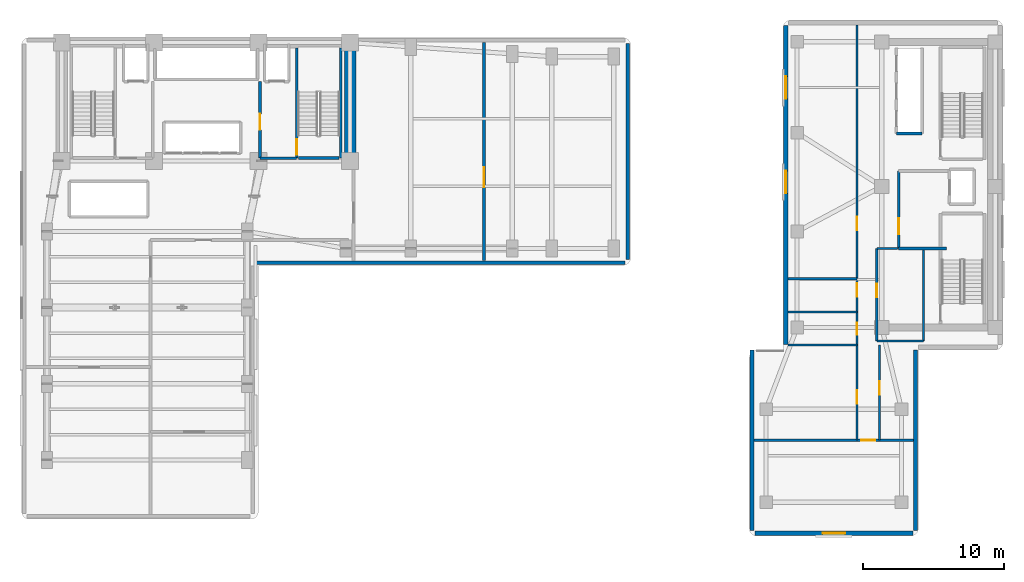
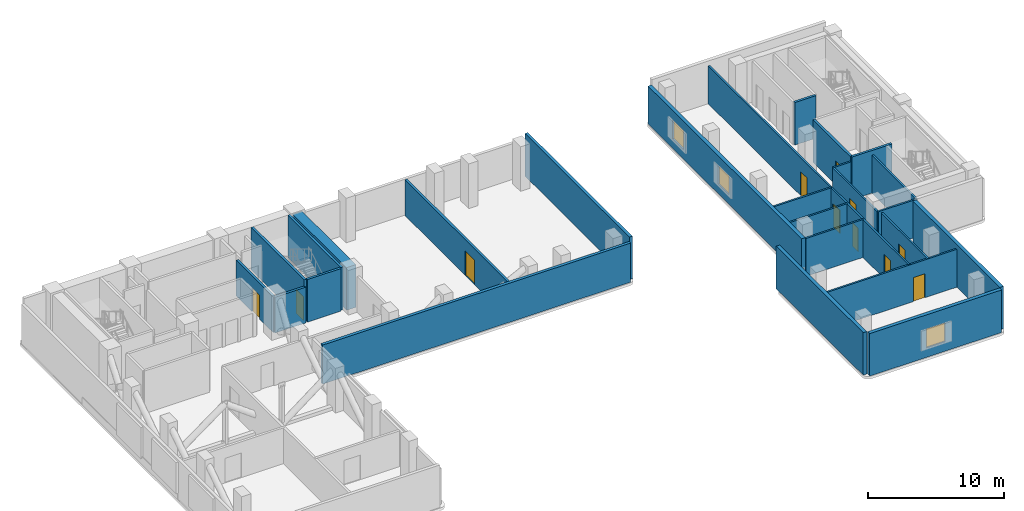
# One storey, part 5 of 9: 27 walls, 11 doors, 3 windows, 14 openings.
"""IFC4 building model written with IfcOpenShell, lengths in metres."""

from ifc_helpers import new_model, si_unit, direction, frame, frame_2d, origin, place, context, subcontext, project, spatial, rectangle, extrude, material, layer, layer_set, type_object, element, fill, save


model = new_model("IFC4")

# Units and contexts
model_context = context("Model", 3, precision=1e-05, world=origin(), true_north=direction((0.0, 1.0)))
body_context = subcontext(model_context, "Body", "Model", "MODEL_VIEW")
ifc_project = project(units=[si_unit("LENGTHUNIT", "METRE"), si_unit("AREAUNIT", "SQUARE_METRE"), si_unit("VOLUMEUNIT", "CUBIC_METRE"), si_unit("PLANEANGLEUNIT", "RADIAN"), si_unit("MASSUNIT", "GRAM", prefix="KILO")], contexts=[model_context])

# Site, building, storey
site_placement = place(None, origin())
site = spatial("IfcSite", under=ifc_project, at=site_placement, CompositionType="ELEMENT")
building_placement = place(site_placement, origin())
building = spatial("IfcBuilding", under=site, at=building_placement, Name="Kuzgunbayir Cultural Tower", CompositionType="ELEMENT")
storey_placement = place(building_placement, frame((0.0, 0.0, 79.39990234375)))
storey = spatial("IfcBuildingStorey", under=building, at=storey_placement, Name="L22", CompositionType="ELEMENT", Elevation=79.39990234375)

# Walls
ifc_material_1 = material(Name="Concrete C60/75", Category="concrete")
ifc_layer_1 = layer(ifc_material_1, 0.800048828125)
ifc_layer_set_1 = layer_set([ifc_layer_1], Name="Concrete C60/75")
wall_type_1 = type_object("IfcWallType", Name="WAL-CORE-800", PredefinedType="SHEAR", material=ifc_layer_set_1)
wall_1_placement = place(storey_placement, frame((26.89990234375, 33.800048828125, 0.0), z_axis=(0.0, 0.0, 1.0), x_axis=(0.0, 1.0, 0.0)))
element("IfcWall", 1, at=wall_1_placement, inside=storey, type_object=wall_type_1, Name="L22 T1 Core East Shear Wall", PredefinedType="SHEAR", context=body_context, shape_type="SweptSolid", body=[
    extrude(rectangle(XDim=7.949951171875, YDim=0.800048828125, at=frame_2d((3.97509765625, 0.0))), origin(), (0.0, 0.0, 1.0), 3.820068359375),
])
ifc_material_2 = material(Name="Concrete C40/50", Category="concrete")
ifc_layer_2 = layer(ifc_material_2, 0.25)
ifc_layer_set_2 = layer_set([ifc_layer_2], Name="Concrete C40/50")
wall_type_2 = type_object("IfcWallType", Name="WAL-EXT-PLANT-250", PredefinedType="STANDARD", material=ifc_layer_set_2)
wall_2_placement = place(storey_placement, frame((20.25, 26.60009765625, 0.0), z_axis=(0.0, 0.0, 1.0), x_axis=(1.0, 0.0, 0.0)))
element("IfcWall", 2, at=wall_2_placement, inside=storey, type_object=wall_type_2, Name="L22 Wing B South Limestone Wall", PredefinedType="STANDARD", context=body_context, shape_type="SweptSolid", body=[
    extrude(rectangle(XDim=26.14990234375, YDim=0.25, at=frame_2d((13.074951171875, 0.0))), origin(), (0.0, 0.0, 1.0), 3.510009765625),
])
wall_3_placement = place(storey_placement, frame((46.60009765625, 26.800048828125, 0.0), z_axis=(0.0, 0.0, 1.0), x_axis=(0.0, 1.0, 0.0)))
element("IfcWall", 3, at=wall_3_placement, inside=storey, type_object=wall_type_2, Name="L22 Wing B East Limestone Wall", PredefinedType="STANDARD", context=body_context, shape_type="SweptSolid", body=[
    extrude(rectangle(XDim=15.349853515625, YDim=0.25, at=frame_2d((7.6748046875, 0.0))), origin(), (0.0, 0.0, 1.0), 3.820068359375),
])

# Wall, openings, windows
ifc_material_3 = material(Name="Anatolian Cream Limestone", Category="masonry")
ifc_layer_3 = layer(ifc_material_3, 0.300048828125)
ifc_layer_set_3 = layer_set([ifc_layer_3], Name="Anatolian Cream Limestone")
wall_type_3 = type_object("IfcWallType", Name="WAL-EXT-STONE-300", PredefinedType="STANDARD", material=ifc_layer_set_3)
wall_4_placement = place(storey_placement, frame((57.800048828125, 43.39990234375, 0.0), z_axis=(0.0, 0.0, 1.0), x_axis=(0.0, -1.0, 0.0)))
wall_4 = element("IfcWall", 4, at=wall_4_placement, inside=storey, type_object=wall_type_3, Name="L22 Companion West Limestone Wall", PredefinedType="STANDARD", context=body_context, shape_type="SweptSolid", body=[
    extrude(rectangle(XDim=22.599853515625, YDim=0.300048828125, at=frame_2d((11.2998046875, 0.0))), origin(), (0.0, 0.0, 1.0), 3.400146484375),
])
opening_1_placement = place(wall_4_placement, frame((10.300048828125, 0.0, 0.85009765625)))
opening_1 = element("IfcOpeningElement", 5, at=opening_1_placement, cuts=wall_4, Name="Opening WC-16", PredefinedType="OPENING", context=body_context, shape_type="SweptSolid", body=[
    extrude(rectangle(XDim=1.60009765625, YDim=1.699951171875, at=frame_2d((0.800048828125, 0.85009765625))), frame((0.0, 0.16015625, 0.0), z_axis=(0.0, -1.0, 0.0), x_axis=(1.0, 0.0, 0.0)), (0.0, 0.0, 1.0), 0.320068359375),
])
opening_2_placement = place(wall_4_placement, frame((3.60009765625, 0.0, 0.85009765625)))
opening_2 = element("IfcOpeningElement", 6, at=opening_2_placement, cuts=wall_4, Name="Opening WC-16", PredefinedType="OPENING", context=body_context, shape_type="SweptSolid", body=[
    extrude(rectangle(XDim=1.60009765625, YDim=1.699951171875, at=frame_2d((0.800048828125, 0.85009765625))), frame((0.0, 0.16015625, 0.0), z_axis=(0.0, -1.0, 0.0), x_axis=(1.0, 0.0, 0.0)), (0.0, 0.0, 1.0), 0.320068359375),
])
ifc_material_4 = material(Name="Solar-Control Triple Glazing", Category="glass")
window_type = type_object("IfcWindowType", Name="WIN-COMP-16", PartitioningType="SINGLE_PANEL", PredefinedType="WINDOW", material=ifc_material_4)
window_1_placement = place(opening_1_placement, origin())
window_1 = element("IfcWindow", 7, at=window_1_placement, inside=storey, type_object=window_type, Name="L22 Companion West Window 32", OverallHeight=1.699951171875, OverallWidth=1.60009765625, PartitioningType="SINGLE_PANEL", PredefinedType="WINDOW", context=body_context, shape_type="SweptSolid", body=[
    extrude(rectangle(XDim=1.60009765625, YDim=1.699951171875, at=frame_2d((0.800048828125, 0.85009765625))), frame((0.0, 0.030029296875, 0.0), z_axis=(0.0, -1.0, 0.0), x_axis=(1.0, 0.0, 0.0)), (0.0, 0.0, 1.0), 0.06005859375),
])
fill(opening_1, window_1)
window_2_placement = place(opening_2_placement, origin())
window_2 = element("IfcWindow", 8, at=window_2_placement, inside=storey, type_object=window_type, Name="L22 Companion West Window 39", OverallHeight=1.699951171875, OverallWidth=1.60009765625, PartitioningType="SINGLE_PANEL", PredefinedType="WINDOW", context=body_context, shape_type="SweptSolid", body=[
    extrude(rectangle(XDim=1.60009765625, YDim=1.699951171875, at=frame_2d((0.800048828125, 0.85009765625))), frame((0.0, 0.030029296875, 0.0), z_axis=(0.0, -1.0, 0.0), x_axis=(1.0, 0.0, 0.0)), (0.0, 0.0, 1.0), 0.06005859375),
])
fill(opening_2, window_2)

# Wall, opening, window
wall_5_placement = place(storey_placement, frame((55.60009765625, 7.39990234375, 0.0), z_axis=(0.0, 0.0, 1.0), x_axis=(1.0, 0.0, 0.0)))
wall_5 = element("IfcWall", 9, at=wall_5_placement, inside=storey, type_object=wall_type_3, Name="L22 Companion Wing B South Wall", PredefinedType="STANDARD", context=body_context, shape_type="SweptSolid", body=[
    extrude(rectangle(XDim=11.199951171875, YDim=0.300048828125, at=frame_2d((5.60009765625, 0.0))), origin(), (0.0, 0.0, 1.0), 3.820068359375),
])
opening_3_placement = place(wall_5_placement, frame((4.800048828125, 0.0, 0.85009765625)))
opening_3 = element("IfcOpeningElement", 10, at=opening_3_placement, cuts=wall_5, Name="Opening WC-16", PredefinedType="OPENING", context=body_context, shape_type="SweptSolid", body=[
    extrude(rectangle(XDim=1.60009765625, YDim=1.699951171875, at=frame_2d((0.800048828125, 0.85009765625))), frame((0.0, 0.16015625, 0.0), z_axis=(0.0, -1.0, 0.0), x_axis=(1.0, 0.0, 0.0)), (0.0, 0.0, 1.0), 0.320068359375),
])
window_3_placement = place(opening_3_placement, origin())
window_3 = element("IfcWindow", 11, at=window_3_placement, inside=storey, type_object=window_type, Name="L22 Companion South Window", OverallHeight=1.699951171875, OverallWidth=1.60009765625, PartitioningType="SINGLE_PANEL", PredefinedType="WINDOW", context=body_context, shape_type="SweptSolid", body=[
    extrude(rectangle(XDim=1.60009765625, YDim=1.699951171875, at=frame_2d((0.800048828125, 0.85009765625))), frame((0.0, 0.030029296875, 0.0), z_axis=(0.0, -1.0, 0.0), x_axis=(1.0, 0.0, 0.0)), (0.0, 0.0, 1.0), 0.06005859375),
])
fill(opening_3, window_3)

# Walls
for number, where, z_axis, x_axis, name in (
    (12, (55.39990234375, 20.39990234375, 0.0), (0.0, 0.0, 1.0), (0.0, -1.0, 0.0), "L22 Companion Wing B West Wall"),
    (13, (67.0, 7.60009765625, 0.0), (0.0, 0.0, 1.0), (0.0, 1.0, 0.0), "L22 Companion Wing B East Wall"),
):
    element("IfcWall", number, at=place(storey_placement, frame(where, z_axis=z_axis, x_axis=x_axis)), inside=storey, type_object=wall_type_3, Name=name, PredefinedType="STANDARD", context=body_context, shape_type="SweptSolid", body=[
        extrude(rectangle(XDim=12.7998046875, YDim=0.300048828125, at=frame_2d((6.39990234375, 0.0))), origin(), (0.0, 0.0, 1.0), 3.820068359375),
    ])

# Wall, opening, door
ifc_material_5 = material(Name="Acoustic Double-Stud Drywall", Category="gypsum")
ifc_layer_4 = layer(ifc_material_5, 0.14990234375)
ifc_layer_set_4 = layer_set([ifc_layer_4], Name="Acoustic Double-Stud Drywall")
wall_type_4 = type_object("IfcWallType", Name="WAL-PART-ACOUSTIC-150", PredefinedType="PARTITIONING", material=ifc_layer_set_4)
wall_6_placement = place(storey_placement, frame((64.25, 21.050048828125, 0.0), z_axis=(0.0, 0.0, 1.0), x_axis=(0.0, 1.0, 0.0)))
wall_6 = element("IfcWall", 14, at=wall_6_placement, inside=storey, type_object=wall_type_4, Name="L22 Companion Archive West Wall", PredefinedType="PARTITIONING", context=body_context, shape_type="SweptSolid", body=[
    extrude(rectangle(XDim=6.550048828125, YDim=0.14990234375, at=frame_2d((3.27490234375, 0.0))), origin(), (0.0, 0.0, 1.0), 3.400146484375),
])
opening_4_placement = place(wall_6_placement, frame((3.10009765625, 0.0, 0.0)))
opening_4 = element("IfcOpeningElement", 15, at=opening_4_placement, cuts=wall_6, Name="Opening DI-90", PredefinedType="OPENING", context=body_context, shape_type="SweptSolid", body=[
    extrude(rectangle(XDim=0.949951171875, YDim=2.14990234375, at=frame_2d((0.47509765625, 1.074951171875))), frame((0.0, 0.0849609375, 0.0), z_axis=(0.0, -1.0, 0.0), x_axis=(1.0, 0.0, 0.0)), (0.0, 0.0, 1.0), 0.169921875),
])
ifc_material_6 = material(Name="Veneered Oak Single Leaf", Category="wood")
door_type_1 = type_object("IfcDoorType", Name="DR-INT-90", OperationType="NOTDEFINED", PredefinedType="DOOR", material=ifc_material_6)
door_1_placement = place(opening_4_placement, origin())
door_1 = element("IfcDoor", 16, at=door_1_placement, inside=storey, type_object=door_type_1, Name="L22 Companion Archive Door", OperationType="SINGLE_SWING_LEFT", OverallHeight=2.14990234375, OverallWidth=0.949951171875, PredefinedType="DOOR", context=body_context, shape_type="SweptSolid", body=[
    extrude(rectangle(XDim=0.949951171875, YDim=2.14990234375, at=frame_2d((0.47509765625, 1.074951171875))), frame((0.0, 0.02490234375, 0.0), z_axis=(0.0, -1.0, 0.0), x_axis=(1.0, 0.0, 0.0)), (0.0, 0.0, 1.0), 0.050048828125),
])
fill(opening_4, door_1)

# Walls
wall_7_placement = place(storey_placement, frame((67.550048828125, 21.050048828125, 0.0), z_axis=(0.0, 0.0, 1.0), x_axis=(0.0, 1.0, 0.0)))
element("IfcWall", 17, at=wall_7_placement, inside=storey, type_object=wall_type_4, Name="L22 Companion Archive East Wall", PredefinedType="PARTITIONING", context=body_context, shape_type="SweptSolid", body=[
    extrude(rectangle(XDim=6.469970703125, YDim=0.14990234375, at=frame_2d((3.23486328125, 0.0))), origin(), (0.0, 0.0, 1.0), 3.400146484375),
])
wall_8_placement = place(storey_placement, frame((64.25, 21.050048828125, 0.0), z_axis=(0.0, 0.0, 1.0), x_axis=(1.0, 0.0, 0.0)))
element("IfcWall", 18, at=wall_8_placement, inside=storey, type_object=wall_type_4, Name="L22 Companion Archive South Wall", PredefinedType="PARTITIONING", context=body_context, shape_type="SweptSolid", body=[
    extrude(rectangle(XDim=3.300048828125, YDim=0.14990234375, at=frame_2d((1.64990234375, 0.0))), origin(), (0.0, 0.0, 1.0), 3.400146484375),
])
wall_9_placement = place(storey_placement, frame((64.25, 27.60009765625, 0.0), z_axis=(0.0, 0.0, 1.0), x_axis=(1.0, 0.0, 0.0)))
element("IfcWall", 19, at=wall_9_placement, inside=storey, type_object=wall_type_4, Name="L22 Companion Archive North Wall", PredefinedType="PARTITIONING", context=body_context, shape_type="SweptSolid", body=[
    extrude(rectangle(XDim=1.469970703125, YDim=0.14990234375, at=frame_2d((0.73486328125, 0.0))), origin(), (0.0, 0.0, 1.0), 3.400146484375),
])

# Wall, openings, doors
wall_10_placement = place(storey_placement, frame((62.85009765625, 20.75, 0.0), z_axis=(0.0, 0.0, 1.0), x_axis=(0.0, 1.0, 0.0)))
wall_10 = element("IfcWall", 20, at=wall_10_placement, inside=storey, type_object=wall_type_4, Name="L22 Companion Corridor West Wall", PredefinedType="PARTITIONING", context=body_context, shape_type="SweptSolid", body=[
    extrude(rectangle(XDim=22.699951171875, YDim=0.14990234375, at=frame_2d((11.35009765625, 0.0))), origin(), (0.0, 0.0, 1.0), 3.400146484375),
])
opening_5_placement = place(wall_10_placement, frame((0.72998046875, 0.0, 0.0)))
opening_5 = element("IfcOpeningElement", 21, at=opening_5_placement, cuts=wall_10, Name="Opening DW-85", PredefinedType="OPENING", context=body_context, shape_type="SweptSolid", body=[
    extrude(rectangle(XDim=0.85009765625, YDim=2.10009765625, at=frame_2d((0.425048828125, 1.050048828125))), frame((0.0, 0.0849609375, 0.0), z_axis=(0.0, -1.0, 0.0), x_axis=(1.0, 0.0, 0.0)), (0.0, 0.0, 1.0), 0.169921875),
])
opening_6_placement = place(wall_10_placement, frame((3.429931640625, 0.0, 0.0)))
opening_6 = element("IfcOpeningElement", 22, at=opening_6_placement, cuts=wall_10, Name="Opening DW-95", PredefinedType="OPENING", context=body_context, shape_type="SweptSolid", body=[
    extrude(rectangle(XDim=0.949951171875, YDim=2.10009765625, at=frame_2d((0.47509765625, 1.050048828125))), frame((0.0, 0.0849609375, 0.0), z_axis=(0.0, -1.0, 0.0), x_axis=(1.0, 0.0, 0.0)), (0.0, 0.0, 1.0), 0.169921875),
])
opening_7_placement = place(wall_10_placement, frame((8.14990234375, 0.0, 0.0)))
opening_7 = element("IfcOpeningElement", 23, at=opening_7_placement, cuts=wall_10, Name="Opening DI-90", PredefinedType="OPENING", context=body_context, shape_type="SweptSolid", body=[
    extrude(rectangle(XDim=0.949951171875, YDim=2.14990234375, at=frame_2d((0.47509765625, 1.074951171875))), frame((0.0, 0.0849609375, 0.0), z_axis=(0.0, -1.0, 0.0), x_axis=(1.0, 0.0, 0.0)), (0.0, 0.0, 1.0), 0.169921875),
])
door_2_placement = place(opening_7_placement, origin())
door_2 = element("IfcDoor", 24, at=door_2_placement, inside=storey, type_object=door_type_1, Name="L22 Companion Curatorial Office 1 Door", OperationType="SINGLE_SWING_RIGHT", OverallHeight=2.14990234375, OverallWidth=0.949951171875, PredefinedType="DOOR", context=body_context, shape_type="SweptSolid", body=[
    extrude(rectangle(XDim=0.949951171875, YDim=2.14990234375, at=frame_2d((0.47509765625, 1.074951171875))), frame((0.0, 0.02490234375, 0.0), z_axis=(0.0, -1.0, 0.0), x_axis=(1.0, 0.0, 0.0)), (0.0, 0.0, 1.0), 0.050048828125),
])
fill(opening_7, door_2)
ifc_material_7 = material(Name="Laminate Moisture-Resistant Leaf", Category="wood")
door_type_2 = type_object("IfcDoorType", Name="DR-WET-85", OperationType="NOTDEFINED", PredefinedType="DOOR", material=ifc_material_7)
door_3_placement = place(opening_5_placement, origin())
door_3 = element("IfcDoor", 25, at=door_3_placement, inside=storey, type_object=door_type_2, Name="L22 Companion WC Door", OperationType="SINGLE_SWING_RIGHT", OverallHeight=2.10009765625, OverallWidth=0.85009765625, PredefinedType="DOOR", context=body_context, shape_type="SweptSolid", body=[
    extrude(rectangle(XDim=0.85009765625, YDim=2.10009765625, at=frame_2d((0.425048828125, 1.050048828125))), frame((0.0, 0.02490234375, 0.0), z_axis=(0.0, -1.0, 0.0), x_axis=(1.0, 0.0, 0.0)), (0.0, 0.0, 1.0), 0.050048828125),
])
fill(opening_5, door_3)
door_type_3 = type_object("IfcDoorType", Name="DR-WET-95", OperationType="NOTDEFINED", PredefinedType="DOOR", material=ifc_material_7)
door_4_placement = place(opening_6_placement, origin())
door_4 = element("IfcDoor", 26, at=door_4_placement, inside=storey, type_object=door_type_3, Name="L22 Companion Accessible WC Door", OperationType="SINGLE_SWING_LEFT", OverallHeight=2.10009765625, OverallWidth=0.949951171875, PredefinedType="DOOR", context=body_context, shape_type="SweptSolid", body=[
    extrude(rectangle(XDim=0.949951171875, YDim=2.10009765625, at=frame_2d((0.47509765625, 1.050048828125))), frame((0.0, 0.02490234375, 0.0), z_axis=(0.0, -1.0, 0.0), x_axis=(1.0, 0.0, 0.0)), (0.0, 0.0, 1.0), 0.050048828125),
])
fill(opening_6, door_4)

# Wall, opening, door
wall_11_placement = place(storey_placement, frame((62.85009765625, 14.0, 0.0), z_axis=(0.0, 0.0, 1.0), x_axis=(0.0, 1.0, 0.0)))
wall_11 = element("IfcWall", 27, at=wall_11_placement, inside=storey, type_object=wall_type_4, Name="L22 Companion South Corridor West Wall", PredefinedType="PARTITIONING", context=body_context, shape_type="SweptSolid", body=[
    extrude(rectangle(XDim=6.75, YDim=0.14990234375, at=frame_2d((3.375, 0.0))), origin(), (0.0, 0.0, 1.0), 3.400146484375),
])
opening_8_placement = place(wall_11_placement, frame((2.60009765625, 0.0, 0.0)))
opening_8 = element("IfcOpeningElement", 28, at=opening_8_placement, cuts=wall_11, Name="Opening DI-90", PredefinedType="OPENING", context=body_context, shape_type="SweptSolid", body=[
    extrude(rectangle(XDim=0.949951171875, YDim=2.14990234375, at=frame_2d((0.47509765625, 1.074951171875))), frame((0.0, 0.0849609375, 0.0), z_axis=(0.0, -1.0, 0.0), x_axis=(1.0, 0.0, 0.0)), (0.0, 0.0, 1.0), 0.169921875),
])
door_5_placement = place(opening_8_placement, origin())
door_5 = element("IfcDoor", 29, at=door_5_placement, inside=storey, type_object=door_type_1, Name="L22 Companion West Atelier Door", OperationType="SINGLE_SWING_LEFT", OverallHeight=2.14990234375, OverallWidth=0.949951171875, PredefinedType="DOOR", context=body_context, shape_type="SweptSolid", body=[
    extrude(rectangle(XDim=0.949951171875, YDim=2.14990234375, at=frame_2d((0.47509765625, 1.074951171875))), frame((0.0, 0.02490234375, 0.0), z_axis=(0.0, -1.0, 0.0), x_axis=(1.0, 0.0, 0.0)), (0.0, 0.0, 1.0), 0.050048828125),
])
fill(opening_8, door_5)

wall_12_placement = place(storey_placement, frame((55.550048828125, 14.0, 0.0), z_axis=(0.0, 0.0, 1.0), x_axis=(1.0, 0.0, 0.0)))
wall_12 = element("IfcWall", 30, at=wall_12_placement, inside=storey, type_object=wall_type_4, Name="L22 Companion South Gallery Wall", PredefinedType="PARTITIONING", context=body_context, shape_type="SweptSolid", body=[
    extrude(rectangle(XDim=11.300048828125, YDim=0.14990234375, at=frame_2d((5.64990234375, 0.0))), origin(), (0.0, 0.0, 1.0), 3.400146484375),
])
opening_9_placement = place(wall_12_placement, frame((7.60009765625, 0.0, 0.0)))
opening_9 = element("IfcOpeningElement", 31, at=opening_9_placement, cuts=wall_12, Name="Opening DI-100", PredefinedType="OPENING", context=body_context, shape_type="SweptSolid", body=[
    extrude(rectangle(XDim=1.0, YDim=2.14990234375, at=frame_2d((0.5, 1.074951171875))), frame((0.0, 0.0849609375, 0.0), z_axis=(0.0, -1.0, 0.0), x_axis=(1.0, 0.0, 0.0)), (0.0, 0.0, 1.0), 0.169921875),
])
door_type_4 = type_object("IfcDoorType", Name="DR-INT-100", OperationType="NOTDEFINED", PredefinedType="DOOR", material=ifc_material_6)
door_6_placement = place(opening_9_placement, origin())
door_6 = element("IfcDoor", 32, at=door_6_placement, inside=storey, type_object=door_type_4, Name="L22 Companion South Salon Door", OperationType="SINGLE_SWING_LEFT", OverallHeight=2.14990234375, OverallWidth=1.0, PredefinedType="DOOR", context=body_context, shape_type="SweptSolid", body=[
    extrude(rectangle(XDim=1.0, YDim=2.14990234375, at=frame_2d((0.5, 1.074951171875))), frame((0.0, 0.02490234375, 0.0), z_axis=(0.0, -1.0, 0.0), x_axis=(1.0, 0.0, 0.0)), (0.0, 0.0, 1.0), 0.050048828125),
])
fill(opening_9, door_6)

wall_13_placement = place(storey_placement, frame((64.449951171875, 14.0, 0.0), z_axis=(0.0, 0.0, 1.0), x_axis=(0.0, 1.0, 0.0)))
wall_13 = element("IfcWall", 33, at=wall_13_placement, inside=storey, type_object=wall_type_4, Name="L22 Companion South Corridor East Wall", PredefinedType="PARTITIONING", context=body_context, shape_type="SweptSolid", body=[
    extrude(rectangle(XDim=6.75, YDim=0.14990234375, at=frame_2d((3.375, 0.0))), origin(), (0.0, 0.0, 1.0), 3.400146484375),
])
opening_10_placement = place(wall_13_placement, frame((3.239990234375, 0.0, 0.0)))
opening_10 = element("IfcOpeningElement", 34, at=opening_10_placement, cuts=wall_13, Name="Opening DI-90", PredefinedType="OPENING", context=body_context, shape_type="SweptSolid", body=[
    extrude(rectangle(XDim=0.949951171875, YDim=2.14990234375, at=frame_2d((0.47509765625, 1.074951171875))), frame((0.0, 0.0849609375, 0.0), z_axis=(0.0, -1.0, 0.0), x_axis=(1.0, 0.0, 0.0)), (0.0, 0.0, 1.0), 0.169921875),
])
door_7_placement = place(opening_10_placement, origin())
door_7 = element("IfcDoor", 35, at=door_7_placement, inside=storey, type_object=door_type_1, Name="L22 Companion East Studio Door", OperationType="SINGLE_SWING_RIGHT", OverallHeight=2.14990234375, OverallWidth=0.949951171875, PredefinedType="DOOR", context=body_context, shape_type="SweptSolid", body=[
    extrude(rectangle(XDim=0.949951171875, YDim=2.14990234375, at=frame_2d((0.47509765625, 1.074951171875))), frame((0.0, 0.02490234375, 0.0), z_axis=(0.0, -1.0, 0.0), x_axis=(1.0, 0.0, 0.0)), (0.0, 0.0, 1.0), 0.050048828125),
])
fill(opening_10, door_7)

ifc_material_8 = material(Name="Aerated Concrete Blockwork", Category="masonry")
ifc_layer_5 = layer(ifc_material_8, 0.199951171875)
ifc_layer_set_5 = layer_set([ifc_layer_5], Name="Aerated Concrete Blockwork")
wall_type_5 = type_object("IfcWallType", Name="WAL-PART-FIRE-200", PredefinedType="PARTITIONING", material=ifc_layer_set_5)
wall_14_placement = place(storey_placement, frame((20.5, 34.0, 0.0), z_axis=(0.0, 0.0, 1.0), x_axis=(0.0, 1.0, 0.0)))
wall_14 = element("IfcWall", 36, at=wall_14_placement, inside=storey, type_object=wall_type_5, Name="L22 FFL-2 Lobby West Fire Wall", PredefinedType="PARTITIONING", context=body_context, shape_type="SweptSolid", body=[
    extrude(rectangle(XDim=5.449951171875, YDim=0.199951171875, at=frame_2d((2.72509765625, 0.0))), origin(), (0.0, 0.0, 1.0), 3.210205078125),
])
opening_11_placement = place(wall_14_placement, frame((2.0, 0.0, 0.0)))
opening_11 = element("IfcOpeningElement", 37, at=opening_11_placement, cuts=wall_14, Name="Opening DR-FFL-90", PredefinedType="OPENING", context=body_context, shape_type="SweptSolid", body=[
    extrude(rectangle(XDim=1.14990234375, YDim=2.14990234375, at=frame_2d((0.574951171875, 1.074951171875))), frame((0.0, 0.10986328125, 0.0), z_axis=(0.0, -1.0, 0.0), x_axis=(1.0, 0.0, 0.0)), (0.0, 0.0, 1.0), 0.219970703125),
])
ifc_material_9 = material(Name="Steel S355J2", Category="steel")
door_type_5 = type_object("IfcDoorType", Name="DR-FFL-90", OperationType="NOTDEFINED", PredefinedType="DOOR", material=ifc_material_9)
door_8_placement = place(opening_11_placement, origin())
door_8 = element("IfcDoor", 38, at=door_8_placement, inside=storey, type_object=door_type_5, Name="L22 Firefighting Lobby 2 Door", OperationType="SINGLE_SWING_RIGHT", OverallHeight=2.14990234375, OverallWidth=1.14990234375, PredefinedType="DOOR", context=body_context, shape_type="SweptSolid", body=[
    extrude(rectangle(XDim=1.14990234375, YDim=2.14990234375, at=frame_2d((0.574951171875, 1.074951171875))), frame((0.0, 0.02490234375, 0.0), z_axis=(0.0, -1.0, 0.0), x_axis=(1.0, 0.0, 0.0)), (0.0, 0.0, 1.0), 0.050048828125),
])
fill(opening_11, door_8)

# Wall
wall_15_placement = place(storey_placement, frame((20.5, 34.0, 0.0), z_axis=(0.0, 0.0, 1.0), x_axis=(1.0, 0.0, 0.0)))
element("IfcWall", 39, at=wall_15_placement, inside=storey, type_object=wall_type_5, Name="L22 FFL-2 Lobby South Fire Wall", PredefinedType="PARTITIONING", context=body_context, shape_type="SweptSolid", body=[
    extrude(rectangle(XDim=2.60009765625, YDim=0.199951171875, at=frame_2d((1.300048828125, 0.0))), origin(), (0.0, 0.0, 1.0), 3.210205078125),
])

# Wall, opening, door
wall_16_placement = place(storey_placement, frame((65.800048828125, 27.60009765625, 0.0), z_axis=(0.0, 0.0, 1.0), x_axis=(0.0, 1.0, 0.0)))
wall_16 = element("IfcWall", 40, at=wall_16_placement, inside=storey, type_object=wall_type_5, Name="L22 FFL-3 Lobby West Fire Wall", PredefinedType="PARTITIONING", context=body_context, shape_type="SweptSolid", body=[
    extrude(rectangle(XDim=5.5, YDim=0.199951171875, at=frame_2d((2.75, 0.0))), origin(), (0.0, 0.0, 1.0), 3.820068359375),
])
opening_12_placement = place(wall_16_placement, frame((1.0, 0.0, 0.0)))
opening_12 = element("IfcOpeningElement", 41, at=opening_12_placement, cuts=wall_16, Name="Opening DR-FFL-90", PredefinedType="OPENING", context=body_context, shape_type="SweptSolid", body=[
    extrude(rectangle(XDim=1.14990234375, YDim=2.14990234375, at=frame_2d((0.574951171875, 1.074951171875))), frame((0.0, 0.10986328125, 0.0), z_axis=(0.0, -1.0, 0.0), x_axis=(1.0, 0.0, 0.0)), (0.0, 0.0, 1.0), 0.219970703125),
])
door_9_placement = place(opening_12_placement, origin())
door_9 = element("IfcDoor", 42, at=door_9_placement, inside=storey, type_object=door_type_5, Name="L22 Firefighting Lobby 3 Door", OperationType="SINGLE_SWING_LEFT", OverallHeight=2.14990234375, OverallWidth=1.14990234375, PredefinedType="DOOR", context=body_context, shape_type="SweptSolid", body=[
    extrude(rectangle(XDim=1.14990234375, YDim=2.14990234375, at=frame_2d((0.574951171875, 1.074951171875))), frame((0.0, 0.02490234375, 0.0), z_axis=(0.0, -1.0, 0.0), x_axis=(1.0, 0.0, 0.0)), (0.0, 0.0, 1.0), 0.050048828125),
])
fill(opening_12, door_9)

# Wall
wall_17_placement = place(storey_placement, frame((65.800048828125, 27.60009765625, 0.0), z_axis=(0.0, 0.0, 1.0), x_axis=(1.0, 0.0, 0.0)))
element("IfcWall", 43, at=wall_17_placement, inside=storey, type_object=wall_type_5, Name="L22 FFL-3 Lobby South Fire Wall", PredefinedType="PARTITIONING", context=body_context, shape_type="SweptSolid", body=[
    extrude(rectangle(XDim=3.39990234375, YDim=0.199951171875, at=frame_2d((1.699951171875, 0.0))), origin(), (0.0, 0.0, 1.0), 3.820068359375),
])

# Wall, opening, door
wall_18_placement = place(storey_placement, frame((36.39990234375, 26.75, 0.0), z_axis=(0.0, 0.0, 1.0), x_axis=(0.0, 1.0, 0.0)))
wall_18 = element("IfcWall", 44, at=wall_18_placement, inside=storey, type_object=wall_type_5, Name="L22 East Plant Compartment Divider", PredefinedType="PARTITIONING", context=body_context, shape_type="SweptSolid", body=[
    extrude(rectangle(XDim=15.449951171875, YDim=0.199951171875, at=frame_2d((7.72509765625, 0.0))), origin(), (0.0, 0.0, 1.0), 3.210205078125),
])
opening_13_placement = place(wall_18_placement, frame((5.199951171875, 0.0, 0.0)))
opening_13 = element("IfcOpeningElement", 45, at=opening_13_placement, cuts=wall_18, Name="Opening DR-PLANT-90", PredefinedType="OPENING", context=body_context, shape_type="SweptSolid", body=[
    extrude(rectangle(XDim=1.39990234375, YDim=2.199951171875, at=frame_2d((0.699951171875, 1.10009765625))), frame((0.0, 0.10986328125, 0.0), z_axis=(0.0, -1.0, 0.0), x_axis=(1.0, 0.0, 0.0)), (0.0, 0.0, 1.0), 0.219970703125),
])
ifc_material_10 = material(Name="Acoustic Steel Double Leaf", Category="steel")
door_type_6 = type_object("IfcDoorType", Name="DR-PLANT-90", OperationType="DOUBLE_DOOR_SINGLE_SWING", PredefinedType="DOOR", material=ifc_material_10)
door_10_placement = place(opening_13_placement, origin())
door_10 = element("IfcDoor", 46, at=door_10_placement, inside=storey, type_object=door_type_6, Name="L22 Smoke-Extract Room Door", OperationType="DOUBLE_DOOR_SINGLE_SWING", OverallHeight=2.199951171875, OverallWidth=1.39990234375, PredefinedType="DOOR", context=body_context, shape_type="SweptSolid", body=[
    extrude(rectangle(XDim=1.39990234375, YDim=2.199951171875, at=frame_2d((0.699951171875, 1.10009765625))), frame((0.0, 0.02490234375, 0.0), z_axis=(0.0, -1.0, 0.0), x_axis=(1.0, 0.0, 0.0)), (0.0, 0.0, 1.0), 0.050048828125),
])
fill(opening_13, door_10)

# Walls
ifc_material_11 = material(Name="Moisture-Resistant Tile Partition", Category="gypsum")
ifc_layer_6 = layer(ifc_material_11, 0.14990234375)
ifc_layer_set_6 = layer_set([ifc_layer_6], Name="Moisture-Resistant Tile Partition")
wall_type_6 = type_object("IfcWallType", Name="WAL-PART-WET-150", PredefinedType="PARTITIONING", material=ifc_layer_set_6)
for number, where, z_axis, x_axis, name in (
    (47, (57.949951171875, 20.75, 0.0), (0.0, 0.0, 1.0), (1.0, 0.0, 0.0), "L22 Companion WC South Wall"),
    (48, (57.949951171875, 23.10009765625, 0.0), (0.0, 0.0, 1.0), (1.0, 0.0, 0.0), "L22 Companion WC North Wall"),
    (49, (57.949951171875, 25.449951171875, 0.0), (0.0, 0.0, 1.0), (1.0, 0.0, 0.0), "L22 Companion Accessible WC Wall"),
):
    element("IfcWall", number, at=place(storey_placement, frame(where, z_axis=z_axis, x_axis=x_axis)), inside=storey, type_object=wall_type_6, Name=name, PredefinedType="PARTITIONING", context=body_context, shape_type="SweptSolid", body=[
        extrude(rectangle(XDim=4.900146484375, YDim=0.14990234375, at=frame_2d((2.4501953125, 0.0))), origin(), (0.0, 0.0, 1.0), 3.400146484375),
    ])
ifc_layer_7 = layer(ifc_material_2, 0.199951171875)
ifc_layer_set_7 = layer_set([ifc_layer_7], Name="Concrete C40/50")
wall_type_7 = type_object("IfcWallType", Name="WAL-SHAFT-200", PredefinedType="MOVABLE", material=ifc_layer_set_7)
wall_19_placement = place(storey_placement, frame((65.64990234375, 35.75, 0.0), z_axis=(0.0, 0.0, 1.0), x_axis=(1.0, 0.0, 0.0)))
element("IfcWall", 50, at=wall_19_placement, inside=storey, type_object=wall_type_7, Name="L22 Companion Lift Shaft South Wall", PredefinedType="MOVABLE", context=body_context, shape_type="SweptSolid", body=[
    extrude(rectangle(XDim=1.800048828125, YDim=0.199951171875, at=frame_2d((0.89990234375, 0.0))), origin(), (0.0, 0.0, 1.0), 3.820068359375),
])

# Wall, opening, door
ifc_layer_8 = layer(ifc_material_2, 0.199951171875)
ifc_layer_set_8 = layer_set([ifc_layer_8], Name="Concrete C40/50")
wall_type_8 = type_object("IfcWallType", Name="WAL-STAIR-RC-200", PredefinedType="SHEAR", material=ifc_layer_set_8)
wall_20_placement = place(storey_placement, frame((23.1201171875, 34.02001953125, 0.0), z_axis=(0.0, 0.0, 1.0), x_axis=(0.0, 1.0, 0.0)))
wall_20 = element("IfcWall", 51, at=wall_20_placement, inside=storey, type_object=wall_type_8, Name="L22 Stair ST-2 West Structural Wall", PredefinedType="SHEAR", context=body_context, shape_type="SweptSolid", body=[
    extrude(rectangle(XDim=7.780029296875, YDim=0.199951171875, at=frame_2d((3.89013671875, 0.0))), origin(), (0.0, 0.0, 1.0), 3.820068359375),
])
opening_14_placement = place(wall_20_placement, frame((0.219970703125, 0.0, 0.0)))
opening_14 = element("IfcOpeningElement", 52, at=opening_14_placement, cuts=wall_20, Name="Opening DR-STAIR-90", PredefinedType="OPENING", context=body_context, shape_type="SweptSolid", body=[
    extrude(rectangle(XDim=1.10009765625, YDim=2.14990234375, at=frame_2d((0.550048828125, 1.074951171875))), frame((0.0, 0.10986328125, 0.0), z_axis=(0.0, -1.0, 0.0), x_axis=(1.0, 0.0, 0.0)), (0.0, 0.0, 1.0), 0.219970703125),
])
door_type_7 = type_object("IfcDoorType", Name="DR-STAIR-90", OperationType="NOTDEFINED", PredefinedType="DOOR", material=ifc_material_9)
door_11_placement = place(opening_14_placement, origin())
door_11 = element("IfcDoor", 53, at=door_11_placement, inside=storey, type_object=door_type_7, Name="L22 Stair ST-2 Fire Door", OperationType="SINGLE_SWING_RIGHT", OverallHeight=2.14990234375, OverallWidth=1.10009765625, PredefinedType="DOOR", context=body_context, shape_type="SweptSolid", body=[
    extrude(rectangle(XDim=1.10009765625, YDim=2.14990234375, at=frame_2d((0.550048828125, 1.074951171875))), frame((0.0, 0.02490234375, 0.0), z_axis=(0.0, -1.0, 0.0), x_axis=(1.0, 0.0, 0.0)), (0.0, 0.0, 1.0), 0.050048828125),
])
fill(opening_14, door_11)

# Walls
wall_21_placement = place(storey_placement, frame((26.239990234375, 34.02001953125, 0.0), z_axis=(0.0, 0.0, 1.0), x_axis=(0.0, 1.0, 0.0)))
element("IfcWall", 54, at=wall_21_placement, inside=storey, type_object=wall_type_8, Name="L22 Stair ST-2 East Structural Wall", PredefinedType="SHEAR", context=body_context, shape_type="SweptSolid", body=[
    extrude(rectangle(XDim=7.780029296875, YDim=0.199951171875, at=frame_2d((3.89013671875, 0.0))), origin(), (0.0, 0.0, 1.0), 3.820068359375),
])
wall_22_placement = place(storey_placement, frame((23.239990234375, 34.02001953125, 0.0), z_axis=(0.0, 0.0, 1.0), x_axis=(1.0, 0.0, 0.0)))
element("IfcWall", 55, at=wall_22_placement, inside=storey, type_object=wall_type_8, Name="L22 Stair ST-2 South Structural Wall", PredefinedType="SHEAR", context=body_context, shape_type="SweptSolid", body=[
    extrude(rectangle(XDim=2.880126953125, YDim=0.199951171875, at=frame_2d((1.43994140625, 0.0))), origin(), (0.0, 0.0, 1.0), 3.820068359375),
])

save(model, "model.ifc")
